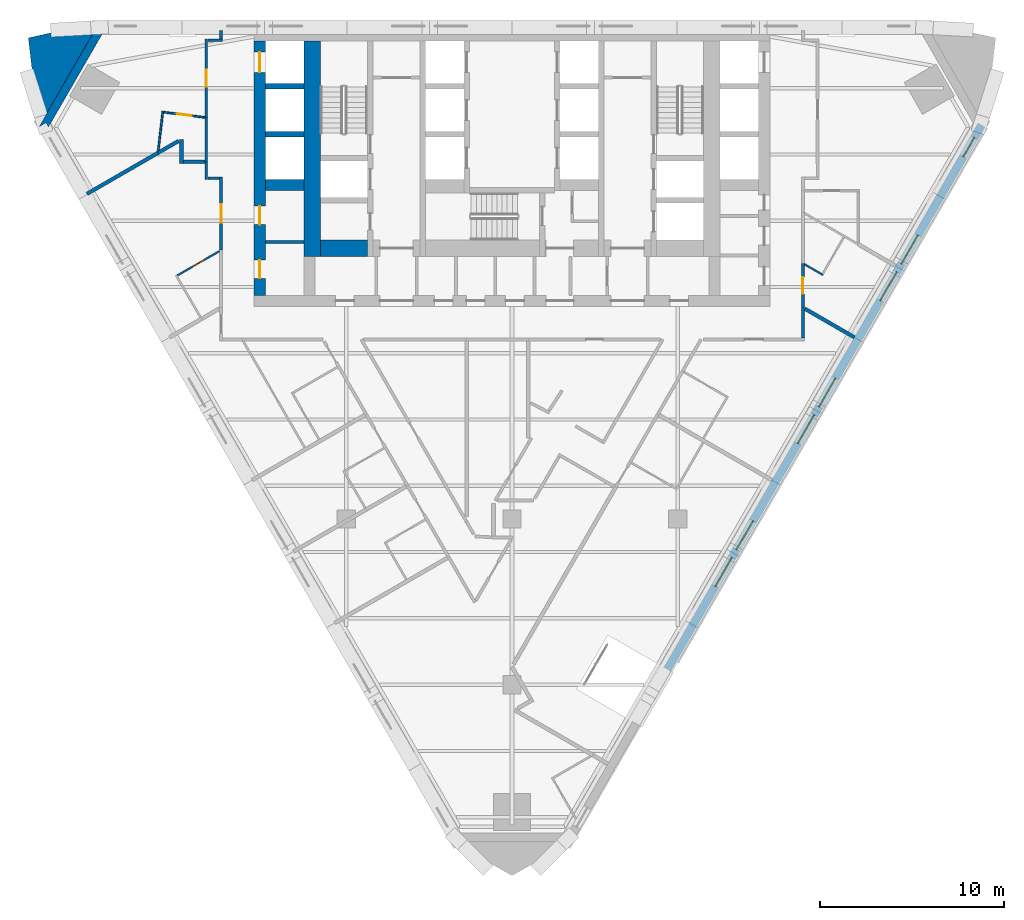
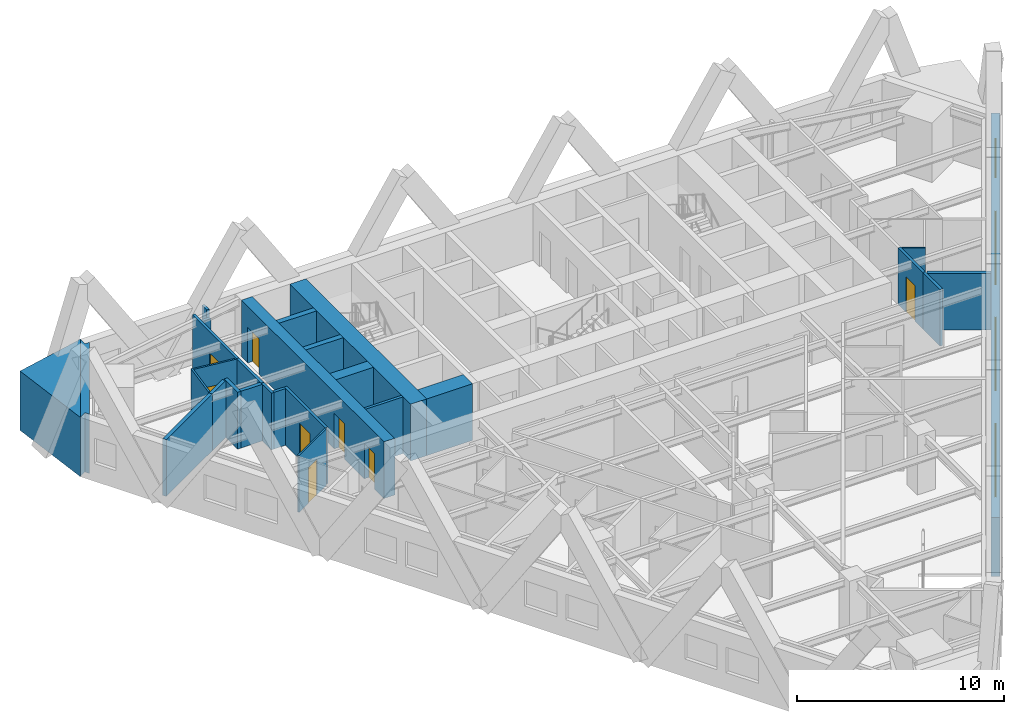
# One storey, part 7 of 12: 28 walls, 8 doors, 7 windows, 15 openings.
"""IFC4 building model written with IfcOpenShell, lengths in metres."""

from ifc_helpers import new_model, si_unit, direction, frame, frame_2d, origin, place, context, subcontext, project, spatial, polyline, rectangle, outline, extrude, material, layer, layer_set, type_object, element, fill, save


model = new_model("IFC4")

# Units and contexts
model_context = context("Model", 3, precision=1e-05, world=origin(), true_north=direction((0.0, 1.0)))
body_context = subcontext(model_context, "Body", "Model", "MODEL_VIEW")
ifc_project = project(units=[si_unit("LENGTHUNIT", "METRE"), si_unit("AREAUNIT", "SQUARE_METRE"), si_unit("VOLUMEUNIT", "CUBIC_METRE"), si_unit("PLANEANGLEUNIT", "RADIAN"), si_unit("MASSUNIT", "GRAM", prefix="KILO")], contexts=[model_context])

# Site, building, storey
site_placement = place(None, origin())
site = spatial("IfcSite", under=ifc_project, at=site_placement, CompositionType="ELEMENT")
building_placement = place(site_placement, origin())
building = spatial("IfcBuilding", under=site, at=building_placement, Name="Aloe Facet Convention Tower", CompositionType="ELEMENT")
storey_placement = place(building_placement, frame((0.0, 0.0, 70.0)))
storey = spatial("IfcBuildingStorey", under=building, at=storey_placement, Name="L16", CompositionType="ELEMENT", Elevation=70.0)

# Walls
ifc_material_1 = material(Name="Concrete blockwork partition", Category="masonry")
ifc_layer_1 = layer(ifc_material_1, 0.14990234375)
ifc_layer_set_1 = layer_set([ifc_layer_1], Name="CR-W-PART150")
wall_type_1 = type_object("IfcWallType", Name="CR-W-PART150", PredefinedType="PARTITIONING", material=ifc_layer_set_1)
wall_1_placement = place(storey_placement, frame((66.60009765625, 123.048583984375, 0.0), z_axis=(0.0, 0.0, 1.0), x_axis=(1.0, 0.0, 0.0)))
element("IfcWall", 1, at=wall_1_placement, inside=storey, type_object=wall_type_1, Name="Core partition L16-007", PredefinedType="PARTITIONING", context=body_context, shape_type="SweptSolid", body=[
    extrude(rectangle(XDim=2.099853515625, YDim=0.14990234375, at=frame_2d((1.0498046875, 0.0))), origin(), (0.0, 0.0, 1.0), 3.35009765625),
])
ifc_material_2 = material(Name="Concrete C80/95", Category="concrete")
ifc_layer_2 = layer(ifc_material_2, 0.300048828125)
ifc_layer_set_2 = layer_set([ifc_layer_2], Name="CR-W-RC300-C8095")
wall_type_2 = type_object("IfcWallType", Name="CR-W-RC300-C8095", PredefinedType="SOLIDWALL", material=ifc_layer_set_2)
for number, where, z_axis, x_axis, name in (
    (2, (66.60009765625, 131.5, 0.0), (0.0, 0.0, 1.0), (1.0, 0.0, 0.0), "Core wall L16-004"),
    (3, (66.60009765625, 128.89990234375, 0.0), (0.0, 0.0, 1.0), (1.0, 0.0, 0.0), "Core wall L16-005"),
):
    element("IfcWall", number, at=place(storey_placement, frame(where, z_axis=z_axis, x_axis=x_axis)), inside=storey, type_object=wall_type_2, Name=name, PredefinedType="SOLIDWALL", context=body_context, shape_type="SweptSolid", body=[
        extrude(rectangle(XDim=2.099853515625, YDim=0.300048828125, at=frame_2d((1.0498046875, 0.0))), origin(), (0.0, 0.0, 1.0), 3.35009765625),
    ])

# Wall, openings, doors
ifc_material_3 = material(Name="Concrete C80/95", Category="concrete")
ifc_layer_3 = layer(ifc_material_3, 0.60009765625)
ifc_layer_set_3 = layer_set([ifc_layer_3], Name="CR-W-RC600-C8095")
wall_type_3 = type_object("IfcWallType", Name="CR-W-RC600-C8095", PredefinedType="SOLIDWALL", material=ifc_layer_set_3)
wall_2_placement = place(storey_placement, frame((66.300048828125, 133.949951171875, 0.0), z_axis=(0.0, 0.0, 1.0), x_axis=(0.0, -1.0, 0.0)))
wall_2 = element("IfcWall", 4, at=wall_2_placement, inside=storey, type_object=wall_type_3, Name="Core wall L16-002", PredefinedType="SOLIDWALL", context=body_context, shape_type="SweptSolid", body=[
    extrude(rectangle(XDim=13.800048828125, YDim=0.60009765625, at=frame_2d((6.89990234375, 0.0))), origin(), (0.0, 0.0, 1.0), 3.35009765625),
])
opening_1_placement = place(wall_2_placement, frame((0.60009765625, 0.0, 0.0)))
opening_1 = element("IfcOpeningElement", 5, at=opening_1_placement, cuts=wall_2, Name="Opening LD-A7-L16", PredefinedType="OPENING", context=body_context, shape_type="SweptSolid", body=[
    extrude(rectangle(XDim=1.10009765625, YDim=2.10009765625, at=frame_2d((0.550048828125, 1.050048828125))), frame((0.0, 0.31005859375, 0.0), z_axis=(0.0, -1.0, 0.0), x_axis=(1.0, 0.0, 0.0)), (0.0, 0.0, 1.0), 0.6201171875),
])
opening_2_placement = place(wall_2_placement, frame((8.963134765625, 0.0, 0.0)))
opening_2 = element("IfcOpeningElement", 6, at=opening_2_placement, cuts=wall_2, Name="Opening L16-CD34", PredefinedType="OPENING", context=body_context, shape_type="SweptSolid", body=[
    extrude(rectangle(XDim=1.0, YDim=2.10009765625, at=frame_2d((0.5, 1.050048828125))), frame((0.0, 0.31005859375, 0.0), z_axis=(0.0, -1.0, 0.0), x_axis=(1.0, 0.0, 0.0)), (0.0, 0.0, 1.0), 0.6201171875),
])
opening_3_placement = place(wall_2_placement, frame((11.88818359375, 0.0, 0.0)))
opening_3 = element("IfcOpeningElement", 7, at=opening_3_placement, cuts=wall_2, Name="Opening L16-CD35", PredefinedType="OPENING", context=body_context, shape_type="SweptSolid", body=[
    extrude(rectangle(XDim=1.0, YDim=2.10009765625, at=frame_2d((0.5, 1.050048828125))), frame((0.0, 0.31005859375, 0.0), z_axis=(0.0, -1.0, 0.0), x_axis=(1.0, 0.0, 0.0)), (0.0, 0.0, 1.0), 0.6201171875),
])
ifc_material_4 = material(Name="Steel fire-resisting door set FD60", Category="steel")
door_type_1 = type_object("IfcDoorType", Name="CR-D-ROOM-1000-FD60-SLEFT", OperationType="SINGLE_SWING_LEFT", PredefinedType="DOOR", material=ifc_material_4)
door_1_placement = place(opening_2_placement, origin())
door_1 = element("IfcDoor", 8, at=door_1_placement, inside=storey, type_object=door_type_1, Name="Core door L16-CD34", OperationType="SINGLE_SWING_LEFT", OverallHeight=2.10009765625, OverallWidth=1.0, PredefinedType="DOOR", context=body_context, shape_type="SweptSolid", body=[
    extrude(rectangle(XDim=1.0, YDim=2.10009765625, at=frame_2d((0.5, 1.050048828125))), frame((0.0, 0.02490234375, 0.0), z_axis=(0.0, -1.0, 0.0), x_axis=(1.0, 0.0, 0.0)), (0.0, 0.0, 1.0), 0.050048828125),
])
fill(opening_2, door_1)
door_2_placement = place(opening_3_placement, origin())
door_2 = element("IfcDoor", 9, at=door_2_placement, inside=storey, type_object=door_type_1, Name="Core door L16-CD35", OperationType="SINGLE_SWING_LEFT", OverallHeight=2.10009765625, OverallWidth=1.0, PredefinedType="DOOR", context=body_context, shape_type="SweptSolid", body=[
    extrude(rectangle(XDim=1.0, YDim=2.10009765625, at=frame_2d((0.5, 1.050048828125))), frame((0.0, 0.02490234375, 0.0), z_axis=(0.0, -1.0, 0.0), x_axis=(1.0, 0.0, 0.0)), (0.0, 0.0, 1.0), 0.050048828125),
])
fill(opening_3, door_2)
ifc_material_5 = material(Name="Stainless steel sliding landing door", Category="steel")
door_type_2 = type_object("IfcDoorType", Name="CR-LD-1100-FD60-_LEFT", OperationType="SLIDING_TO_LEFT", PredefinedType="DOOR", material=ifc_material_5)
door_3_placement = place(opening_1_placement, origin())
door_3 = element("IfcDoor", 10, at=door_3_placement, inside=storey, type_object=door_type_2, Name="Landing door A7 L16", OperationType="SLIDING_TO_LEFT", OverallHeight=2.10009765625, OverallWidth=1.10009765625, PredefinedType="DOOR", context=body_context, shape_type="SweptSolid", body=[
    extrude(rectangle(XDim=1.10009765625, YDim=2.10009765625, at=frame_2d((0.550048828125, 1.050048828125))), frame((0.0, 0.02490234375, 0.0), z_axis=(0.0, -1.0, 0.0), x_axis=(1.0, 0.0, 0.0)), (0.0, 0.0, 1.0), 0.050048828125),
])
fill(opening_1, door_3)

# Walls
wall_3_placement = place(storey_placement, frame((66.60009765625, 126.14990234375, 0.0), z_axis=(0.0, 0.0, 1.0), x_axis=(1.0, 0.0, 0.0)))
element("IfcWall", 11, at=wall_3_placement, inside=storey, type_object=wall_type_3, Name="Core wall L16-006", PredefinedType="SOLIDWALL", context=body_context, shape_type="SweptSolid", body=[
    extrude(rectangle(XDim=2.099853515625, YDim=0.60009765625, at=frame_2d((1.0498046875, 0.0))), origin(), (0.0, 0.0, 1.0), 3.35009765625),
])
ifc_material_6 = material(Name="Concrete C80/95", Category="concrete")
ifc_layer_4 = layer(ifc_material_6, 0.89990234375)
ifc_layer_set_4 = layer_set([ifc_layer_4], Name="CR-W-RC900-C8095")
wall_type_4 = type_object("IfcWallType", Name="CR-W-RC900-C8095", PredefinedType="SOLIDWALL", material=ifc_layer_set_4)
wall_4_placement = place(storey_placement, frame((69.14990234375, 133.949951171875, 0.0), z_axis=(0.0, 0.0, 1.0), x_axis=(0.0, -1.0, 0.0)))
element("IfcWall", 12, at=wall_4_placement, inside=storey, type_object=wall_type_4, Name="Core wall L16-008", PredefinedType="SOLIDWALL", context=body_context, shape_type="SweptSolid", body=[
    extrude(rectangle(XDim=11.699951171875, YDim=0.89990234375, at=frame_2d((5.85009765625, 0.0))), origin(), (0.0, 0.0, 1.0), 3.35009765625),
])
wall_5_placement = place(storey_placement, frame((69.60009765625, 122.699951171875, 0.0), z_axis=(0.0, 0.0, 1.0), x_axis=(1.0, 0.0, 0.0)))
element("IfcWall", 13, at=wall_5_placement, inside=storey, type_object=wall_type_4, Name="Core wall L16-012", PredefinedType="SOLIDWALL", context=body_context, shape_type="SweptSolid", body=[
    extrude(rectangle(XDim=2.5498046875, YDim=0.89990234375, at=frame_2d((1.27490234375, 0.0))), origin(), (0.0, 0.0, 1.0), 3.35009765625),
])
ifc_material_7 = material(Name="Precast concrete C40/50", Category="concrete")
ifc_layer_5 = layer(ifc_material_7, 0.449951171875)
ifc_layer_set_5 = layer_set([ifc_layer_5], Name="EV-WALL-PIER")
wall_type_5 = type_object("IfcWallType", Name="EV-WALL-PIER", PredefinedType="SOLIDWALL", material=ifc_layer_set_5)
wall_6_placement = place(storey_placement, frame((0.0, 0.0, -0.14990234375)))
element("IfcWall", 14, at=wall_6_placement, inside=storey, type_object=wall_type_5, Name="EP-L16-A", PredefinedType="SOLIDWALL", context=body_context, shape_type="SweptSolid", body=[
    extrude(outline(polyline([(57.60009765625, 135.0), (57.60009765625, 134.550048828125), (57.85986328125, 134.550048828125), (54.819580078125, 129.2841796875), (54.689697265625, 129.50927734375), (54.300048828125, 129.2841796875), (57.60009765625, 135.0)])), origin(), (0.0, 0.0, 1.0), 3.5),
])
ifc_material_8 = material(Name="Precast concrete C40/50", Category="concrete")
ifc_layer_6 = layer(ifc_material_8, 3.947998046875)
ifc_layer_set_6 = layer_set([ifc_layer_6], Name="EV-WALL-SPINE")
wall_type_6 = type_object("IfcWallType", Name="EV-WALL-SPINE", PredefinedType="SOLIDWALL", material=ifc_layer_set_6)
wall_7_placement = place(storey_placement, frame((0.0, 0.0, -0.14990234375)))
element("IfcWall", 15, at=wall_7_placement, inside=storey, type_object=wall_type_6, Name="SP-NW-L16", PredefinedType="SOLIDWALL", context=body_context, shape_type="SweptSolid", body=[
    extrude(outline(polyline([(57.60009765625, 135.0), (53.729736328125, 134.128173828125), (54.300048828125, 129.2841796875), (57.60009765625, 135.0)])), origin(), (0.0, 0.0, 1.0), 3.5),
])

# Wall, openings, windows
ifc_material_9 = material(Name="Precast concrete C40/50", Category="concrete")
ifc_layer_7 = layer(ifc_material_9, 0.449951171875)
ifc_layer_set_7 = layer_set([ifc_layer_7], Name="EV-WALL-STONE")
wall_type_7 = type_object("IfcWallType", Name="EV-WALL-STONE", PredefinedType="SOLIDWALL", material=ifc_layer_set_7)
wall_8_placement = place(storey_placement, frame((88.43505859375, 99.83056640625, -0.14990234375), z_axis=(0.0, 0.0, 1.0), x_axis=(0.500000806382, 0.866024938219, 0.0)))
wall_8 = element("IfcWall", 16, at=wall_8_placement, inside=storey, type_object=wall_type_7, Name="EW-L16-E02", PredefinedType="SOLIDWALL", context=body_context, shape_type="SweptSolid", body=[
    extrude(outline(polyline([(34.139892578125, 3.5), (34.139892578125, 0.0), (0.0, 0.0), (0.0, 3.5), (34.139892578125, 3.5)])), frame((0.0, 0.22509765625, 0.0), z_axis=(0.0, -1.0, 0.0), x_axis=(1.0, 0.0, 0.0)), (0.0, 0.0, 1.0), 0.449951171875),
])
opening_4_placement = place(wall_8_placement, frame((5.2099609375, 0.0, 1.050048828125)))
opening_4 = element("IfcOpeningElement", 17, at=opening_4_placement, cuts=wall_8, Name="Opening W-L16-E02", PredefinedType="OPENING", context=body_context, shape_type="SweptSolid", body=[
    extrude(rectangle(XDim=1.800048828125, YDim=1.5, at=frame_2d((0.89990234375, 0.75))), frame((0.0, 0.23486328125, 0.0), z_axis=(0.0, -1.0, 0.0), x_axis=(1.0, 0.0, 0.0)), (0.0, 0.0, 1.0), 0.469970703125),
])
opening_5_placement = place(wall_8_placement, frame((7.510009765625, 0.0, 1.050048828125)))
opening_5 = element("IfcOpeningElement", 18, at=opening_5_placement, cuts=wall_8, Name="Opening W-L16-E03", PredefinedType="OPENING", context=body_context, shape_type="SweptSolid", body=[
    extrude(rectangle(XDim=1.800048828125, YDim=1.5, at=frame_2d((0.89990234375, 0.75))), frame((0.0, 0.23486328125, 0.0), z_axis=(0.0, -1.0, 0.0), x_axis=(1.0, 0.0, 0.0)), (0.0, 0.0, 1.0), 0.469970703125),
])
opening_6_placement = place(wall_8_placement, frame((14.169921875, 0.0, 1.050048828125)))
opening_6 = element("IfcOpeningElement", 19, at=opening_6_placement, cuts=wall_8, Name="Opening W-L16-E04", PredefinedType="OPENING", context=body_context, shape_type="SweptSolid", body=[
    extrude(rectangle(XDim=1.800048828125, YDim=1.5, at=frame_2d((0.89990234375, 0.75))), frame((0.0, 0.23486328125, 0.0), z_axis=(0.0, -1.0, 0.0), x_axis=(1.0, 0.0, 0.0)), (0.0, 0.0, 1.0), 0.469970703125),
])
opening_7_placement = place(wall_8_placement, frame((16.469970703125, 0.0, 1.050048828125)))
opening_7 = element("IfcOpeningElement", 20, at=opening_7_placement, cuts=wall_8, Name="Opening W-L16-E05", PredefinedType="OPENING", context=body_context, shape_type="SweptSolid", body=[
    extrude(rectangle(XDim=1.800048828125, YDim=1.5, at=frame_2d((0.89990234375, 0.75))), frame((0.0, 0.23486328125, 0.0), z_axis=(0.0, -1.0, 0.0), x_axis=(1.0, 0.0, 0.0)), (0.0, 0.0, 1.0), 0.469970703125),
])
opening_8_placement = place(wall_8_placement, frame((23.1298828125, 0.0, 1.050048828125)))
opening_8 = element("IfcOpeningElement", 21, at=opening_8_placement, cuts=wall_8, Name="Opening W-L16-E06", PredefinedType="OPENING", context=body_context, shape_type="SweptSolid", body=[
    extrude(rectangle(XDim=1.800048828125, YDim=1.5, at=frame_2d((0.89990234375, 0.75))), frame((0.0, 0.23486328125, 0.0), z_axis=(0.0, -1.0, 0.0), x_axis=(1.0, 0.0, 0.0)), (0.0, 0.0, 1.0), 0.469970703125),
])
opening_9_placement = place(wall_8_placement, frame((25.429931640625, 0.0, 1.050048828125)))
opening_9 = element("IfcOpeningElement", 22, at=opening_9_placement, cuts=wall_8, Name="Opening W-L16-E07", PredefinedType="OPENING", context=body_context, shape_type="SweptSolid", body=[
    extrude(rectangle(XDim=1.800048828125, YDim=1.5, at=frame_2d((0.89990234375, 0.75))), frame((0.0, 0.23486328125, 0.0), z_axis=(0.0, -1.0, 0.0), x_axis=(1.0, 0.0, 0.0)), (0.0, 0.0, 1.0), 0.469970703125),
])
opening_10_placement = place(wall_8_placement, frame((32.15380859375, 0.0, 1.050048828125)))
opening_10 = element("IfcOpeningElement", 23, at=opening_10_placement, cuts=wall_8, Name="Opening W-L16-E08", PredefinedType="OPENING", context=body_context, shape_type="SweptSolid", body=[
    extrude(rectangle(XDim=1.199951171875, YDim=1.5, at=frame_2d((0.60009765625, 0.75))), frame((0.0, 0.23486328125, 0.0), z_axis=(0.0, -1.0, 0.0), x_axis=(1.0, 0.0, 0.0)), (0.0, 0.0, 1.0), 0.469970703125),
])
ifc_material_10 = material(Name="Aluminium frame, clear double glazing", Category="aluminium")
window_type_1 = type_object("IfcWindowType", Name="EV-WIN-H12", PartitioningType="SINGLE_PANEL", PredefinedType="WINDOW", material=ifc_material_10)
window_1_placement = place(opening_10_placement, origin())
window_1 = element("IfcWindow", 24, at=window_1_placement, inside=storey, type_object=window_type_1, Name="W-L16-E08", OverallHeight=1.5, OverallWidth=1.199951171875, PartitioningType="SINGLE_PANEL", PredefinedType="WINDOW", context=body_context, shape_type="SweptSolid", body=[
    extrude(rectangle(XDim=1.199951171875, YDim=1.5, at=frame_2d((0.60009765625, 0.75))), frame((0.0, 0.030029296875, 0.0), z_axis=(0.0, -1.0, 0.0), x_axis=(1.0, 0.0, 0.0)), (0.0, 0.0, 1.0), 0.06005859375),
])
fill(opening_10, window_1)
ifc_material_11 = material(Name="Aluminium frame, clear double glazing", Category="aluminium")
window_type_2 = type_object("IfcWindowType", Name="EV-WIN-H18", PartitioningType="SINGLE_PANEL", PredefinedType="WINDOW", material=ifc_material_11)
window_2_placement = place(opening_4_placement, origin())
window_2 = element("IfcWindow", 25, at=window_2_placement, inside=storey, type_object=window_type_2, Name="W-L16-E02", OverallHeight=1.5, OverallWidth=1.800048828125, PartitioningType="SINGLE_PANEL", PredefinedType="WINDOW", context=body_context, shape_type="SweptSolid", body=[
    extrude(rectangle(XDim=1.800048828125, YDim=1.5, at=frame_2d((0.89990234375, 0.75))), frame((0.0, 0.030029296875, 0.0), z_axis=(0.0, -1.0, 0.0), x_axis=(1.0, 0.0, 0.0)), (0.0, 0.0, 1.0), 0.06005859375),
])
fill(opening_4, window_2)
window_3_placement = place(opening_5_placement, origin())
window_3 = element("IfcWindow", 26, at=window_3_placement, inside=storey, type_object=window_type_2, Name="W-L16-E03", OverallHeight=1.5, OverallWidth=1.800048828125, PartitioningType="SINGLE_PANEL", PredefinedType="WINDOW", context=body_context, shape_type="SweptSolid", body=[
    extrude(rectangle(XDim=1.800048828125, YDim=1.5, at=frame_2d((0.89990234375, 0.75))), frame((0.0, 0.030029296875, 0.0), z_axis=(0.0, -1.0, 0.0), x_axis=(1.0, 0.0, 0.0)), (0.0, 0.0, 1.0), 0.06005859375),
])
fill(opening_5, window_3)
window_4_placement = place(opening_6_placement, origin())
window_4 = element("IfcWindow", 27, at=window_4_placement, inside=storey, type_object=window_type_2, Name="W-L16-E04", OverallHeight=1.5, OverallWidth=1.800048828125, PartitioningType="SINGLE_PANEL", PredefinedType="WINDOW", context=body_context, shape_type="SweptSolid", body=[
    extrude(rectangle(XDim=1.800048828125, YDim=1.5, at=frame_2d((0.89990234375, 0.75))), frame((0.0, 0.030029296875, 0.0), z_axis=(0.0, -1.0, 0.0), x_axis=(1.0, 0.0, 0.0)), (0.0, 0.0, 1.0), 0.06005859375),
])
fill(opening_6, window_4)
window_5_placement = place(opening_7_placement, origin())
window_5 = element("IfcWindow", 28, at=window_5_placement, inside=storey, type_object=window_type_2, Name="W-L16-E05", OverallHeight=1.5, OverallWidth=1.800048828125, PartitioningType="SINGLE_PANEL", PredefinedType="WINDOW", context=body_context, shape_type="SweptSolid", body=[
    extrude(rectangle(XDim=1.800048828125, YDim=1.5, at=frame_2d((0.89990234375, 0.75))), frame((0.0, 0.030029296875, 0.0), z_axis=(0.0, -1.0, 0.0), x_axis=(1.0, 0.0, 0.0)), (0.0, 0.0, 1.0), 0.06005859375),
])
fill(opening_7, window_5)
window_6_placement = place(opening_8_placement, origin())
window_6 = element("IfcWindow", 29, at=window_6_placement, inside=storey, type_object=window_type_2, Name="W-L16-E06", OverallHeight=1.5, OverallWidth=1.800048828125, PartitioningType="SINGLE_PANEL", PredefinedType="WINDOW", context=body_context, shape_type="SweptSolid", body=[
    extrude(rectangle(XDim=1.800048828125, YDim=1.5, at=frame_2d((0.89990234375, 0.75))), frame((0.0, 0.030029296875, 0.0), z_axis=(0.0, -1.0, 0.0), x_axis=(1.0, 0.0, 0.0)), (0.0, 0.0, 1.0), 0.06005859375),
])
fill(opening_8, window_6)
window_7_placement = place(opening_9_placement, origin())
window_7 = element("IfcWindow", 30, at=window_7_placement, inside=storey, type_object=window_type_2, Name="W-L16-E07", OverallHeight=1.5, OverallWidth=1.800048828125, PartitioningType="SINGLE_PANEL", PredefinedType="WINDOW", context=body_context, shape_type="SweptSolid", body=[
    extrude(rectangle(XDim=1.800048828125, YDim=1.5, at=frame_2d((0.89990234375, 0.75))), frame((0.0, 0.030029296875, 0.0), z_axis=(0.0, -1.0, 0.0), x_axis=(1.0, 0.0, 0.0)), (0.0, 0.0, 1.0), 0.06005859375),
])
fill(opening_9, window_7)

# Wall
ifc_material_12 = material(Name="Gypsum board partition on steel studs", Category="steel")
ifc_layer_8 = layer(ifc_material_12, 0.14990234375)
ifc_layer_set_8 = layer_set([ifc_layer_8], Name="IN-W-CORR")
wall_type_8 = type_object("IfcWallType", Name="IN-W-CORR", PredefinedType="PARTITIONING", material=ifc_layer_set_8)
wall_9_placement = place(storey_placement, frame((95.800048828125, 117.824951171875, 0.0), z_axis=(0.0, 0.0, 1.0), x_axis=(0.0, 1.0, 0.0)))
element("IfcWall", 31, at=wall_9_placement, inside=storey, type_object=wall_type_8, Name="Partition L16-W081", PredefinedType="PARTITIONING", context=body_context, shape_type="SweptSolid", body=[
    extrude(rectangle(XDim=1.65576171875, YDim=0.14990234375, at=frame_2d((0.827880859375, 0.0))), origin(), (0.0, 0.0, 1.0), 3.35009765625),
])

# Wall, opening, door
wall_10_placement = place(storey_placement, frame((95.800048828125, 119.480712890625, 0.0), z_axis=(0.0, 0.0, 1.0), x_axis=(0.0, 1.0, 0.0)))
wall_10 = element("IfcWall", 32, at=wall_10_placement, inside=storey, type_object=wall_type_8, Name="Partition L16-W085", PredefinedType="PARTITIONING", context=body_context, shape_type="SweptSolid", body=[
    extrude(rectangle(XDim=2.40185546875, YDim=0.14990234375, at=frame_2d((1.200927734375, 0.0))), origin(), (0.0, 0.0, 1.0), 3.35009765625),
])
opening_11_placement = place(wall_10_placement, frame((0.7509765625, 0.0, 0.0)))
opening_11 = element("IfcOpeningElement", 33, at=opening_11_placement, cuts=wall_10, Name="Opening L16-010", PredefinedType="OPENING", context=body_context, shape_type="SweptSolid", body=[
    extrude(rectangle(XDim=0.89990234375, YDim=2.10009765625, at=frame_2d((0.449951171875, 1.050048828125))), frame((0.0, 0.0849609375, 0.0), z_axis=(0.0, -1.0, 0.0), x_axis=(1.0, 0.0, 0.0)), (0.0, 0.0, 1.0), 0.169921875),
])
ifc_material_13 = material(Name="Hardwood flush door FD30S", Category="wood")
door_type_3 = type_object("IfcDoorType", Name="IN-D-GUEST", OperationType="SINGLE_SWING_LEFT", PredefinedType="DOOR", material=ifc_material_13)
door_4_placement = place(opening_11_placement, origin())
door_4 = element("IfcDoor", 34, at=door_4_placement, inside=storey, type_object=door_type_3, Name="Door L16-010", OperationType="SINGLE_SWING_LEFT", OverallHeight=2.10009765625, OverallWidth=0.89990234375, PredefinedType="DOOR", context=body_context, shape_type="SweptSolid", body=[
    extrude(rectangle(XDim=0.89990234375, YDim=2.10009765625, at=frame_2d((0.449951171875, 1.050048828125))), frame((0.0, 0.02490234375, 0.0), z_axis=(0.0, -1.0, 0.0), x_axis=(1.0, 0.0, 0.0)), (0.0, 0.0, 1.0), 0.050048828125),
])
fill(opening_11, door_4)

wall_11_placement = place(storey_placement, frame((64.199951171875, 122.5986328125, 0.0), z_axis=(0.0, 0.0, 1.0), x_axis=(0.0, 1.0, 0.0)))
wall_11 = element("IfcWall", 35, at=wall_11_placement, inside=storey, type_object=wall_type_8, Name="Partition L16-W086", PredefinedType="PARTITIONING", context=body_context, shape_type="SweptSolid", body=[
    extrude(rectangle(XDim=3.976318359375, YDim=0.14990234375, at=frame_2d((1.98828125, 0.0))), origin(), (0.0, 0.0, 1.0), 3.35009765625),
])
opening_12_placement = place(wall_11_placement, frame((1.48828125, 0.0, 0.0)))
opening_12 = element("IfcOpeningElement", 36, at=opening_12_placement, cuts=wall_11, Name="Opening L16-003", PredefinedType="OPENING", context=body_context, shape_type="SweptSolid", body=[
    extrude(rectangle(XDim=1.0, YDim=2.10009765625, at=frame_2d((0.5, 1.050048828125))), frame((0.0, 0.0849609375, 0.0), z_axis=(0.0, -1.0, 0.0), x_axis=(1.0, 0.0, 0.0)), (0.0, 0.0, 1.0), 0.169921875),
])
ifc_material_14 = material(Name="Hardwood flush door FD30S", Category="wood")
door_type_4 = type_object("IfcDoorType", Name="IN-D-WIDE", OperationType="SINGLE_SWING_LEFT", PredefinedType="DOOR", material=ifc_material_14)
door_5_placement = place(opening_12_placement, origin())
door_5 = element("IfcDoor", 37, at=door_5_placement, inside=storey, type_object=door_type_4, Name="Door L16-003", OperationType="SINGLE_SWING_LEFT", OverallHeight=2.10009765625, OverallWidth=1.0, PredefinedType="DOOR", context=body_context, shape_type="SweptSolid", body=[
    extrude(rectangle(XDim=1.0, YDim=2.10009765625, at=frame_2d((0.5, 1.050048828125))), frame((0.0, 0.02490234375, 0.0), z_axis=(0.0, -1.0, 0.0), x_axis=(1.0, 0.0, 0.0)), (0.0, 0.0, 1.0), 0.050048828125),
])
fill(opening_12, door_5)

# Walls
wall_12_placement = place(storey_placement, frame((63.39990234375, 126.425048828125, 0.0), z_axis=(0.0, 0.0, 1.0), x_axis=(0.0, 1.0, 0.0)))
element("IfcWall", 38, at=wall_12_placement, inside=storey, type_object=wall_type_8, Name="Partition L16-W098", PredefinedType="PARTITIONING", context=body_context, shape_type="SweptSolid", body=[
    extrude(rectangle(XDim=0.974853515625, YDim=0.14990234375, at=frame_2d((0.4873046875, 0.0))), origin(), (0.0, 0.0, 1.0), 3.35009765625),
])
wall_13_placement = place(storey_placement, frame((63.47509765625, 126.5, 0.0), z_axis=(0.0, 0.0, 1.0), x_axis=(1.0, 0.0, 0.0)))
element("IfcWall", 39, at=wall_13_placement, inside=storey, type_object=wall_type_8, Name="Partition L16-W099", PredefinedType="PARTITIONING", context=body_context, shape_type="SweptSolid", body=[
    extrude(rectangle(XDim=0.64990234375, YDim=0.14990234375, at=frame_2d((0.324951171875, 0.0))), origin(), (0.0, 0.0, 1.0), 3.35009765625),
])

# Wall, opening, door
wall_14_placement = place(storey_placement, frame((63.39990234375, 129.798095703125, 0.0), z_axis=(0.0, 0.0, 1.0), x_axis=(0.0, 1.0, 0.0)))
wall_14 = element("IfcWall", 40, at=wall_14_placement, inside=storey, type_object=wall_type_8, Name="Partition L16-W106", PredefinedType="PARTITIONING", context=body_context, shape_type="SweptSolid", body=[
    extrude(rectangle(XDim=4.2763671875, YDim=0.14990234375, at=frame_2d((2.13818359375, 0.0))), origin(), (0.0, 0.0, 1.0), 3.35009765625),
])
opening_13_placement = place(wall_14_placement, frame((1.688232421875, 0.0, 0.0)))
opening_13 = element("IfcOpeningElement", 41, at=opening_13_placement, cuts=wall_14, Name="Opening L16-002", PredefinedType="OPENING", context=body_context, shape_type="SweptSolid", body=[
    extrude(rectangle(XDim=0.89990234375, YDim=2.10009765625, at=frame_2d((0.449951171875, 1.050048828125))), frame((0.0, 0.0849609375, 0.0), z_axis=(0.0, -1.0, 0.0), x_axis=(1.0, 0.0, 0.0)), (0.0, 0.0, 1.0), 0.169921875),
])
door_6_placement = place(opening_13_placement, origin())
door_6 = element("IfcDoor", 42, at=door_6_placement, inside=storey, type_object=door_type_3, Name="Door L16-002", OperationType="SINGLE_SWING_LEFT", OverallHeight=2.10009765625, OverallWidth=0.89990234375, PredefinedType="DOOR", context=body_context, shape_type="SweptSolid", body=[
    extrude(rectangle(XDim=0.89990234375, YDim=2.10009765625, at=frame_2d((0.449951171875, 1.050048828125))), frame((0.0, 0.02490234375, 0.0), z_axis=(0.0, -1.0, 0.0), x_axis=(1.0, 0.0, 0.0)), (0.0, 0.0, 1.0), 0.050048828125),
])
fill(opening_13, door_6)

# Walls
wall_15_placement = place(storey_placement, frame((63.39990234375, 127.39990234375, 0.0), z_axis=(0.0, 0.0, 1.0), x_axis=(0.0, 1.0, 0.0)))
element("IfcWall", 43, at=wall_15_placement, inside=storey, type_object=wall_type_8, Name="Partition L16-W107", PredefinedType="PARTITIONING", context=body_context, shape_type="SweptSolid", body=[
    extrude(rectangle(XDim=2.398193359375, YDim=0.14990234375, at=frame_2d((1.19921875, 0.0))), origin(), (0.0, 0.0, 1.0), 3.35009765625),
])
wall_16_placement = place(storey_placement, frame((63.47509765625, 133.99951171875, 0.0), z_axis=(0.0, 0.0, 1.0), x_axis=(0.999999813645, 0.000610500497, 0.0)))
element("IfcWall", 44, at=wall_16_placement, inside=storey, type_object=wall_type_8, Name="Partition L16-W109", PredefinedType="PARTITIONING", context=body_context, shape_type="SweptSolid", body=[
    extrude(rectangle(XDim=0.7998046875, YDim=0.14990234375, at=frame_2d((0.39990234375, 0.0))), origin(), (0.0, 0.0, 1.0), 2.88671875),
])
wall_17_placement = place(storey_placement, frame((64.199951171875, 134.074951171875, 0.0), z_axis=(0.0, 0.0, 1.0), x_axis=(0.0, 1.0, 0.0)))
element("IfcWall", 45, at=wall_17_placement, inside=storey, type_object=wall_type_8, Name="Partition L16-W110", PredefinedType="PARTITIONING", context=body_context, shape_type="SweptSolid", body=[
    extrude(rectangle(XDim=0.465087890625, YDim=0.14990234375, at=frame_2d((0.232421875, 0.0))), origin(), (0.0, 0.0, 1.0), 3.35009765625),
])

# Wall, opening, door
ifc_material_15 = material(Name="Gypsum board partition on steel studs", Category="steel")
ifc_layer_9 = layer(ifc_material_15, 0.10009765625)
ifc_layer_set_9 = layer_set([ifc_layer_9], Name="IN-W-PART")
wall_type_9 = type_object("IfcWallType", Name="IN-W-PART", PredefinedType="PARTITIONING", material=ifc_layer_set_9)
wall_18_placement = place(storey_placement, frame((61.8271484375, 121.228515625, 0.0), z_axis=(0.0, 0.0, 1.0), x_axis=(0.86601342167, 0.500020753057, 0.0)))
wall_18 = element("IfcWall", 46, at=wall_18_placement, inside=storey, type_object=wall_type_9, Name="Partition L16-W082", PredefinedType="PARTITIONING", context=body_context, shape_type="SweptSolid", body=[
    extrude(rectangle(XDim=2.64501953125, YDim=0.10009765625, at=frame_2d((1.322509765625, 0.0))), origin(), (0.0, 0.0, 1.0), 3.35009765625),
])
opening_14_placement = place(wall_18_placement, frame((0.922607421875, 0.0, 0.0)))
opening_14 = element("IfcOpeningElement", 47, at=opening_14_placement, cuts=wall_18, Name="Opening L16-017", PredefinedType="OPENING", context=body_context, shape_type="SweptSolid", body=[
    extrude(rectangle(XDim=0.800048828125, YDim=2.10009765625, at=frame_2d((0.39990234375, 1.050048828125))), frame((0.0, 0.06005859375, 0.0), z_axis=(0.0, -1.0, 0.0), x_axis=(1.0, 0.0, 0.0)), (0.0, 0.0, 1.0), 0.1201171875),
])
ifc_material_16 = material(Name="Timber flush door", Category="wood")
door_type_5 = type_object("IfcDoorType", Name="IN-D-BATH", OperationType="SINGLE_SWING_LEFT", PredefinedType="DOOR", material=ifc_material_16)
door_7_placement = place(opening_14_placement, origin())
door_7 = element("IfcDoor", 48, at=door_7_placement, inside=storey, type_object=door_type_5, Name="Door L16-017", OperationType="SINGLE_SWING_LEFT", OverallHeight=2.10009765625, OverallWidth=0.800048828125, PredefinedType="DOOR", context=body_context, shape_type="SweptSolid", body=[
    extrude(rectangle(XDim=0.800048828125, YDim=2.10009765625, at=frame_2d((0.39990234375, 1.050048828125))), frame((0.0, 0.02490234375, 0.0), z_axis=(0.0, -1.0, 0.0), x_axis=(1.0, 0.0, 0.0)), (0.0, 0.0, 1.0), 0.050048828125),
])
fill(opening_14, door_7)

# Walls
wall_19_placement = place(storey_placement, frame((95.88232421875, 121.835205078125, 0.0), z_axis=(0.0, 0.0, 1.0), x_axis=(0.86601174498, -0.500023656998, 0.0)))
element("IfcWall", 49, at=wall_19_placement, inside=storey, type_object=wall_type_9, Name="Partition L16-W083", PredefinedType="PARTITIONING", context=body_context, shape_type="SweptSolid", body=[
    extrude(rectangle(XDim=1.16943359375, YDim=0.10009765625, at=frame_2d((0.584716796875, 0.0))), origin(), (0.0, 0.0, 1.0), 3.35009765625),
])
wall_20_placement = place(storey_placement, frame((60.78759765625, 128.032470703125, 0.0), z_axis=(0.0, 0.0, 1.0), x_axis=(0.117744993375, 0.993043864356, 0.0)))
element("IfcWall", 50, at=wall_20_placement, inside=storey, type_object=wall_type_9, Name="Partition L16-W104", PredefinedType="PARTITIONING", context=body_context, shape_type="SweptSolid", body=[
    extrude(rectangle(XDim=2.131591796875, YDim=0.10009765625, at=frame_2d((1.06591796875, 0.0))), origin(), (0.0, 0.0, 1.0), 3.35009765625),
])

# Wall, opening, door
wall_21_placement = place(storey_placement, frame((61.082275390625, 130.09326171875, 0.0), z_axis=(0.0, 0.0, 1.0), x_axis=(0.99199127296, -0.126306430445, 0.0)))
wall_21 = element("IfcWall", 51, at=wall_21_placement, inside=storey, type_object=wall_type_9, Name="Partition L16-W108", PredefinedType="PARTITIONING", context=body_context, shape_type="SweptSolid", body=[
    extrude(rectangle(XDim=2.261474609375, YDim=0.10009765625, at=frame_2d((1.130859375, 0.0))), origin(), (0.0, 0.0, 1.0), 3.35009765625),
])
opening_15_placement = place(wall_21_placement, frame((0.730712890625, 0.0, 0.0)))
opening_15 = element("IfcOpeningElement", 52, at=opening_15_placement, cuts=wall_21, Name="Opening L16-016", PredefinedType="OPENING", context=body_context, shape_type="SweptSolid", body=[
    extrude(rectangle(XDim=0.800048828125, YDim=2.10009765625, at=frame_2d((0.39990234375, 1.050048828125))), frame((0.0, 0.06005859375, 0.0), z_axis=(0.0, -1.0, 0.0), x_axis=(1.0, 0.0, 0.0)), (0.0, 0.0, 1.0), 0.1201171875),
])
door_8_placement = place(opening_15_placement, origin())
door_8 = element("IfcDoor", 53, at=door_8_placement, inside=storey, type_object=door_type_5, Name="Door L16-016", OperationType="SINGLE_SWING_LEFT", OverallHeight=2.10009765625, OverallWidth=0.800048828125, PredefinedType="DOOR", context=body_context, shape_type="SweptSolid", body=[
    extrude(rectangle(XDim=0.800048828125, YDim=2.10009765625, at=frame_2d((0.39990234375, 1.050048828125))), frame((0.0, 0.02490234375, 0.0), z_axis=(0.0, -1.0, 0.0), x_axis=(1.0, 0.0, 0.0)), (0.0, 0.0, 1.0), 0.050048828125),
])
fill(opening_15, door_8)

# Walls
ifc_material_17 = material(Name="Gypsum board partition on steel studs", Category="steel")
ifc_layer_10 = layer(ifc_material_17, 0.199951171875)
ifc_layer_set_10 = layer_set([ifc_layer_10], Name="IN-W-PARTY")
wall_type_10 = type_object("IfcWallType", Name="IN-W-PARTY", PredefinedType="PARTITIONING", material=ifc_layer_set_10)
wall_22_placement = place(storey_placement, frame((95.908203125, 119.418212890625, 0.0), z_axis=(0.0, 0.0, 1.0), x_axis=(0.866051688794, -0.499954470265, 0.0)))
element("IfcWall", 54, at=wall_22_placement, inside=storey, type_object=wall_type_10, Name="Partition L16-W078", PredefinedType="PARTITIONING", context=body_context, shape_type="SweptSolid", body=[
    extrude(rectangle(XDim=3.096923828125, YDim=0.199951171875, at=frame_2d((1.54833984375, 0.0))), origin(), (0.0, 0.0, 1.0), 3.35009765625),
])
wall_23_placement = place(storey_placement, frame((56.913818359375, 125.656982421875, 0.0), z_axis=(0.0, 0.0, 1.0), x_axis=(0.866007538022, 0.500030943131, 0.0)))
element("IfcWall", 55, at=wall_23_placement, inside=storey, type_object=wall_type_10, Name="Partition L16-W095", PredefinedType="PARTITIONING", context=body_context, shape_type="SweptSolid", body=[
    extrude(rectangle(XDim=4.452880859375, YDim=0.199951171875, at=frame_2d((2.2265625, 0.0))), origin(), (0.0, 0.0, 1.0), 3.35009765625),
])
wall_24_placement = place(storey_placement, frame((62.048095703125, 127.300048828125, 0.0), z_axis=(0.0, 0.0, 1.0), x_axis=(0.0, 1.0, 0.0)))
element("IfcWall", 56, at=wall_24_placement, inside=storey, type_object=wall_type_10, Name="Partition L16-W102", PredefinedType="PARTITIONING", context=body_context, shape_type="SweptSolid", body=[
    extrude(rectangle(XDim=1.320556640625, YDim=0.199951171875, at=frame_2d((0.66015625, 0.0))), origin(), (0.0, 0.0, 1.0), 3.35009765625),
])
wall_25_placement = place(storey_placement, frame((62.14794921875, 127.39990234375, 0.0), z_axis=(0.0, 0.0, 1.0), x_axis=(1.0, 0.0, 0.0)))
element("IfcWall", 57, at=wall_25_placement, inside=storey, type_object=wall_type_10, Name="Partition L16-W103", PredefinedType="PARTITIONING", context=body_context, shape_type="SweptSolid", body=[
    extrude(rectangle(XDim=1.177001953125, YDim=0.199951171875, at=frame_2d((0.58837890625, 0.0))), origin(), (0.0, 0.0, 1.0), 3.35009765625),
])
wall_26_placement = place(storey_placement, frame((60.77001953125, 127.883544921875, 0.0), z_axis=(0.0, 0.0, 1.0), x_axis=(0.86634472317, 0.499446514288, 0.0)))
element("IfcWall", 58, at=wall_26_placement, inside=storey, type_object=wall_type_10, Name="Partition L16-W105", PredefinedType="PARTITIONING", context=body_context, shape_type="SweptSolid", body=[
    extrude(rectangle(XDim=1.30224609375, YDim=0.199951171875, at=frame_2d((0.651123046875, 0.0))), origin(), (0.0, 0.0, 1.0), 3.35009765625),
])

save(model, "model.ifc")
